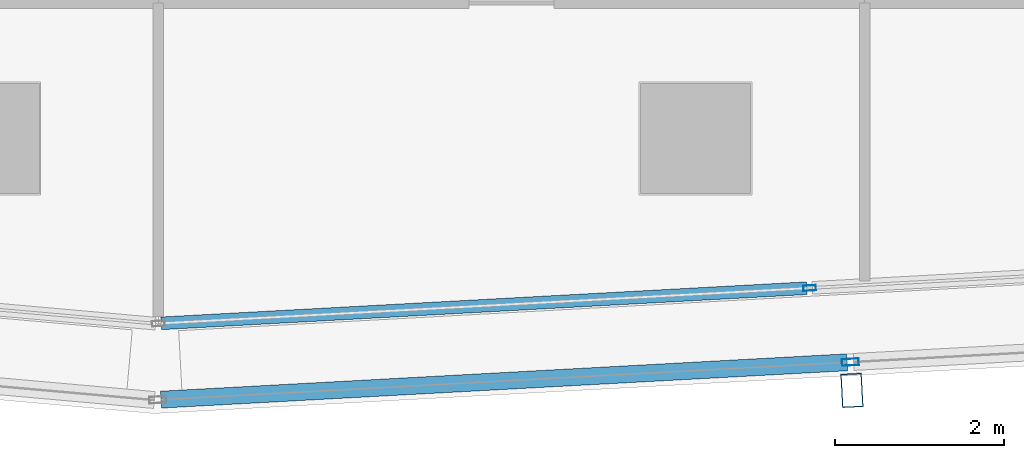
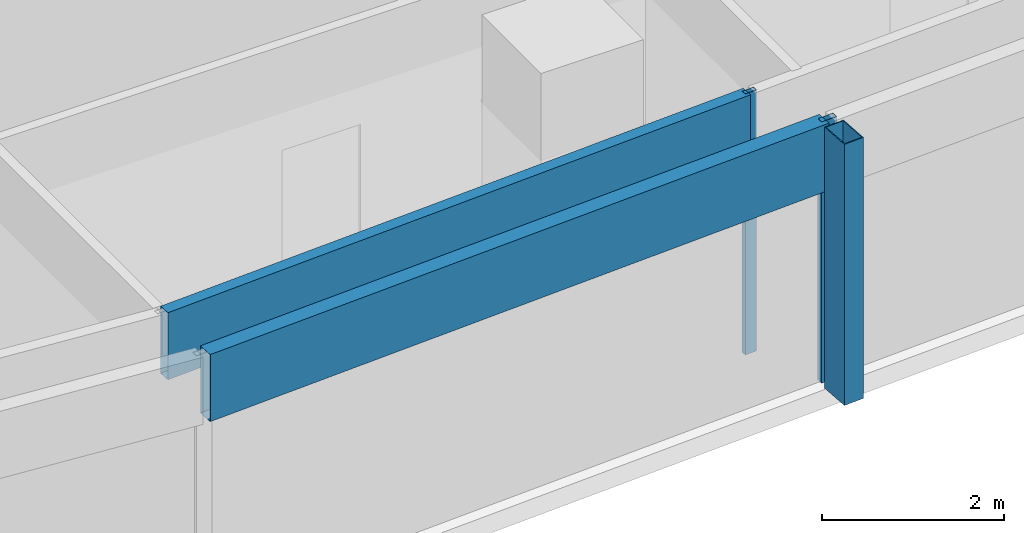
# One storey, part 5 of 28: 5 members, 2 elements without a shape of their own.
"""IFC4 building model written with IfcOpenShell, lengths in metres."""

from ifc_helpers import new_model, si_unit, direction, frame, origin, origin_2d, place, context, subcontext, project, spatial, hollow_rectangle, extrude, material, material_profile, profile_set, type_object, element, aggregate, save


model = new_model("IFC4")

# Units and contexts
model_context = context("Model", 3, precision=1e-05, world=origin(), true_north=direction((0.0, 1.0)))
body_context = subcontext(model_context, "Body", "Model", "MODEL_VIEW")
ifc_project = project(units=[si_unit("LENGTHUNIT", "METRE"), si_unit("AREAUNIT", "SQUARE_METRE"), si_unit("VOLUMEUNIT", "CUBIC_METRE"), si_unit("PLANEANGLEUNIT", "RADIAN"), si_unit("MASSUNIT", "GRAM", prefix="KILO")], contexts=[model_context])

# Site, building, storey
site_placement = place(None, origin())
site = spatial("IfcSite", under=ifc_project, at=site_placement, CompositionType="ELEMENT")
building_placement = place(site_placement, origin())
building = spatial("IfcBuilding", under=site, at=building_placement, Name="Rekha Terrace Tower", CompositionType="ELEMENT")
storey_placement = place(building_placement, frame((0.0, 0.0, 268.85009765625)))
storey = spatial("IfcBuildingStorey", under=building, at=storey_placement, Name="L68", CompositionType="ELEMENT", Elevation=268.85009765625)

# Curtain wall, member
ifc_material_1 = material(Name="Aluminium framing", Category="aluminium")
curtain_wall_type_1 = type_object("IfcCurtainWallType", Name="CW2 double skin outer glazing", PredefinedType="USERDEFINED", material=ifc_material_1)
curtain_wall_1_placement = place(storey_placement, origin())
curtain_wall_1 = element("IfcCurtainWall", 1, at=curtain_wall_1_placement, inside=storey, type_object=curtain_wall_type_1, Name="CW2 double skin outer glazing", ObjectType="DOUBLE SKIN OUTER GLAZING", PredefinedType="USERDEFINED")
ifc_material_2 = material(Name="Steel S355 with fluorocarbon finish", Category="steel")
ifc_material_profile_1 = material_profile(ifc_material_2, hollow_rectangle(XDim=0.25, YDim=0.39990234375, WallThickness=0.012451171875, at=origin_2d()), Name="RHS400x250x12.5")
ifc_profile_set_1 = profile_set([ifc_material_profile_1], Name="Steel S355 with fluorocarbon finish")
member_type_1 = type_object("IfcMemberType", Name="BL1 facade blade RHS 400 x 250", PredefinedType="USERDEFINED", material=ifc_profile_set_1)
member_1_placement = place(storey_placement, frame((35.4482421875, 13.82373046875, 0.0), z_axis=(0.0, 0.0, 1.0), x_axis=(0.99851982155, 0.054389024366, 0.0)))
member_1 = element("IfcMember", 2, at=member_1_placement, type_object=member_type_1, Name="Facade blade", ObjectType="FACADE BLADE", PredefinedType="USERDEFINED", context=body_context, shape_type="SweptSolid", body=[
    extrude(hollow_rectangle(XDim=0.25, YDim=0.39990234375, WallThickness=0.012451171875, at=origin_2d()), origin(), (0.0, 0.0, 1.0), 3.5),
])

# Curtain wall, members
curtain_wall_type_2 = type_object("IfcCurtainWallType", Name="CW1 double skin inner glazing", PredefinedType="USERDEFINED", material=ifc_material_1)
curtain_wall_2_placement = place(storey_placement, origin())
curtain_wall_2 = element("IfcCurtainWall", 3, at=curtain_wall_2_placement, inside=storey, type_object=curtain_wall_type_2, Name="CW1 double skin inner glazing", ObjectType="DOUBLE SKIN INNER GLAZING", PredefinedType="USERDEFINED")
ifc_material_3 = material(Name="Aluminium mullion section", Category="aluminium")
ifc_material_profile_2 = material_profile(ifc_material_3, hollow_rectangle(XDim=0.06494140625, YDim=0.14990234375, WallThickness=0.00390625, at=origin_2d()), Name="AL RHS 65x150")
ifc_profile_set_2 = profile_set([ifc_material_profile_2], Name="Aluminium mullion section")
member_type_2 = type_object("IfcMemberType", Name="CW1 mullion RHS 65 x 150", PredefinedType="MULLION", material=ifc_profile_set_2)
member_2_placement = place(storey_placement, frame((34.94775390625, 15.033447265625, 0.0), z_axis=(0.0, 0.0, 1.0), x_axis=(-0.054388903036, 0.998519828159, 0.0)))
member_2 = element("IfcMember", 4, at=member_2_placement, type_object=member_type_2, Name="CW1 mullion 2", PredefinedType="MULLION", context=body_context, shape_type="SweptSolid", body=[
    extrude(hollow_rectangle(XDim=0.06494140625, YDim=0.14990234375, WallThickness=0.00390625, at=origin_2d()), origin(), (0.0, 0.0, 1.0), 3.5),
])
ifc_material_4 = material(Name="Insulated aluminium spandrel box", Category="aluminium")
ifc_material_profile_3 = material_profile(ifc_material_4, hollow_rectangle(XDim=0.14990234375, YDim=0.89990234375, WallThickness=0.0029296875, at=origin_2d()), Name="AL SPANDREL BOX 150x900")
ifc_profile_set_3 = profile_set([ifc_material_profile_3], Name="Insulated aluminium spandrel box")
member_type_3 = type_object("IfcMemberType", Name="CW1 spandrel transom 150 x 900", PredefinedType="USERDEFINED", material=ifc_profile_set_3)
member_3_placement = place(storey_placement, frame((27.287109375, 14.6162109375, 3.0498046875), z_axis=(0.998521390426, 0.054360213958, 0.0), x_axis=(-0.054360213958, 0.998521390426, 0.0)))
member_3 = element("IfcMember", 5, at=member_3_placement, type_object=member_type_3, Name="CW1 spandrel transom 1", ObjectType="TRANSOM", PredefinedType="USERDEFINED", context=body_context, shape_type="SweptSolid", body=[
    extrude(hollow_rectangle(XDim=0.14990234375, YDim=0.89990234375, WallThickness=0.0029296875, at=origin_2d()), origin(), (0.0, 0.0, 1.0), 7.639404296875),
])
aggregate(curtain_wall_2, [member_2, member_3])

# Member
ifc_material_profile_4 = material_profile(ifc_material_3, hollow_rectangle(XDim=0.080078125, YDim=0.199951171875, WallThickness=0.00390625, at=origin_2d()), Name="AL RHS 80x200")
ifc_profile_set_4 = profile_set([ifc_material_profile_4], Name="Aluminium mullion section")
member_type_4 = type_object("IfcMemberType", Name="CW2 mullion RHS 80 x 200", PredefinedType="MULLION", material=ifc_profile_set_4)
member_4_placement = place(storey_placement, frame((35.429931640625, 14.158203125, 0.0), z_axis=(0.0, 0.0, 1.0), x_axis=(-0.054388903071, 0.998519828157, 0.0)))
member_4 = element("IfcMember", 6, at=member_4_placement, type_object=member_type_4, Name="CW2 mullion 2", PredefinedType="MULLION", context=body_context, shape_type="SweptSolid", body=[
    extrude(hollow_rectangle(XDim=0.080078125, YDim=0.199951171875, WallThickness=0.00390625, at=origin_2d()), origin(), (0.0, 0.0, 1.0), 3.5),
])

ifc_material_profile_5 = material_profile(ifc_material_4, hollow_rectangle(XDim=0.199951171875, YDim=0.89990234375, WallThickness=0.0029296875, at=origin_2d()), Name="AL SPANDREL BOX 200x900")
ifc_profile_set_5 = profile_set([ifc_material_profile_5], Name="Insulated aluminium spandrel box")
member_type_5 = type_object("IfcMemberType", Name="CW2 spandrel transom 200 x 900", PredefinedType="USERDEFINED", material=ifc_profile_set_5)
member_5_placement = place(storey_placement, frame((27.28662109375, 13.71484375, 3.0498046875), z_axis=(0.998521383998, 0.054360332034, 0.0), x_axis=(-0.054360332034, 0.998521383998, 0.0)))
member_5 = element("IfcMember", 7, at=member_5_placement, type_object=member_type_5, Name="CW2 spandrel transom 1", ObjectType="TRANSOM", PredefinedType="USERDEFINED", context=body_context, shape_type="SweptSolid", body=[
    extrude(hollow_rectangle(XDim=0.199951171875, YDim=0.89990234375, WallThickness=0.0029296875, at=origin_2d()), origin(), (0.0, 0.0, 1.0), 8.115478515625),
])

aggregate(curtain_wall_1, [member_4, member_5, member_1])

save(model, "model.ifc")
